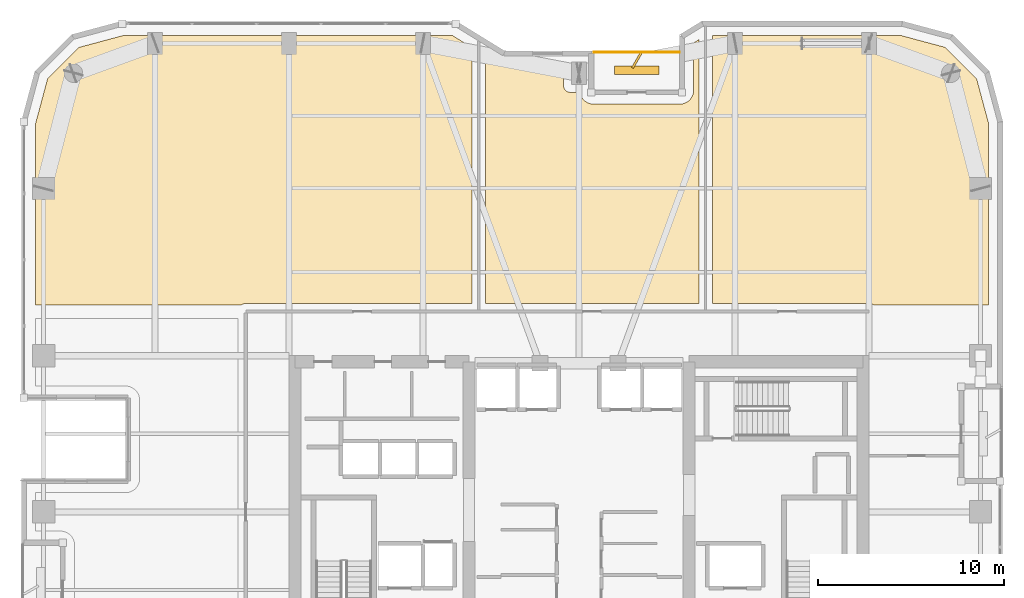
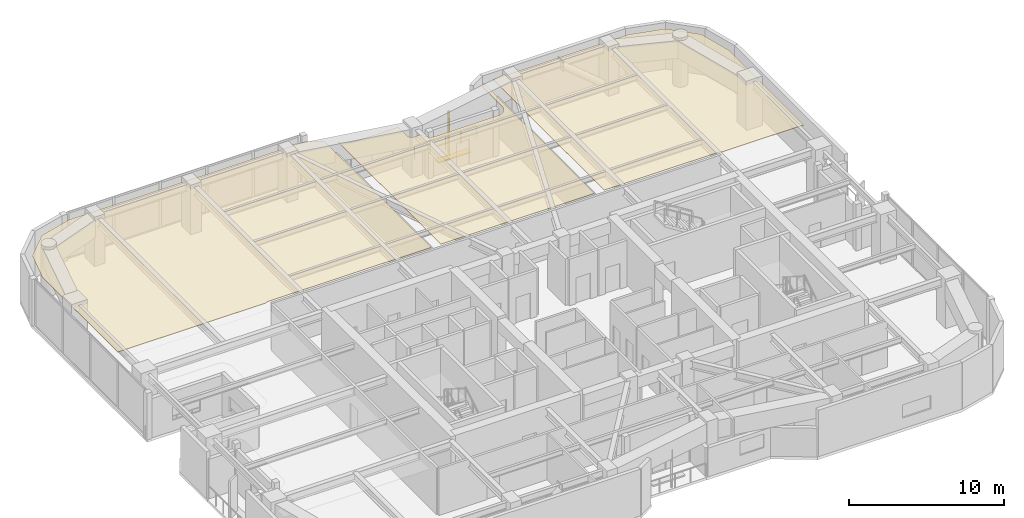
# One storey, part 26 of 26: 3 coverings, 2 shading devices, 1 railing.
"""IFC4 building model written with IfcOpenShell, lengths in metres."""

from ifc_helpers import new_model, si_unit, direction, frame, origin, origin_2d, place, context, subcontext, project, spatial, polyline, rectangle, outline, extrude, material, layer, layer_set, type_object, element, save


model = new_model("IFC4")

# Units and contexts
model_context = context("Model", 3, precision=1e-05, world=origin(), true_north=direction((0.0, 1.0)))
body_context = subcontext(model_context, "Body", "Model", "MODEL_VIEW")
ifc_project = project(units=[si_unit("LENGTHUNIT", "METRE"), si_unit("AREAUNIT", "SQUARE_METRE"), si_unit("VOLUMEUNIT", "CUBIC_METRE"), si_unit("PLANEANGLEUNIT", "RADIAN"), si_unit("MASSUNIT", "GRAM", prefix="KILO")], contexts=[model_context])

# Site, building, storey
site_placement = place(None, origin())
site = spatial("IfcSite", under=ifc_project, at=site_placement, CompositionType="ELEMENT")
building_placement = place(site_placement, origin())
building = spatial("IfcBuilding", under=site, at=building_placement, Name="Kiyonajd Concourse Tower", CompositionType="ELEMENT")
storey_placement = place(building_placement, frame((0.0, 0.0, 186.300048828125)))
storey = spatial("IfcBuildingStorey", under=building, at=storey_placement, Name="L47", CompositionType="ELEMENT", Elevation=186.300048828125)

# Coverings
ifc_material_1 = material(Name="Natural Oak Acoustic Timber Veneer", Category="wood")
ifc_layer = layer(ifc_material_1, 0.0400390625)
ifc_layer_set = layer_set([ifc_layer], Name="Natural Oak Acoustic Timber Veneer")
covering_type = type_object("IfcCoveringType", Name="CV-CLG-ACST", PredefinedType="CEILING", material=ifc_layer_set)
covering_1_placement = place(storey_placement, frame((0.0, 0.0, 3.5)))
element("IfcCovering", 1, at=covering_1_placement, inside=storey, type_object=covering_type, Name="L47-45 Room Acoustic Ceiling", PredefinedType="CEILING", context=body_context, shape_type="SweptSolid", body=[
    extrude(outline(polyline([(21.097900390625, 60.986083984375), (23.5009765625, 61.6298828125), (41.181884765625, 61.6298828125), (42.25, 60.971923828125), (42.25, 47.2099609375), (30.074951171875, 47.2099609375), (29.945068359375, 47.18994140625), (29.882080078125, 47.1640625), (29.826904296875, 47.1298828125), (18.77001953125, 47.1298828125), (18.77001953125, 56.89892578125), (19.4140625, 59.302001953125), (21.097900390625, 60.986083984375)])), origin(), (0.0, 0.0, 1.0), 0.0400390625),
])
covering_2_placement = place(storey_placement, frame((0.0, 0.0, 3.5)))
element("IfcCovering", 2, at=covering_2_placement, inside=storey, type_object=covering_type, Name="L47-46 Room Acoustic Ceiling", PredefinedType="CEILING", context=body_context, shape_type="SweptSolid", body=[
    extrude(outline(polyline([(43.759033203125, 60.070068359375), (43.865966796875, 60.0419921875), (44.0, 60.030029296875), (47.169921875, 60.030029296875), (47.169921875, 58.919921875), (47.18505859375, 58.818115234375), (47.22900390625, 58.72607421875), (47.27294921875, 58.673095703125), (47.325927734375, 58.62890625), (47.385986328125, 58.596923828125), (47.451904296875, 58.576904296875), (47.52001953125, 58.570068359375), (48.041015625, 58.570068359375), (48.069091796875, 58.4599609375), (48.114990234375, 58.34912109375), (48.18310546875, 58.240966796875), (48.242919921875, 58.16796875), (48.320068359375, 58.097900390625), (48.448974609375, 58.014892578125), (48.52099609375, 57.98291015625), (48.633056640625, 57.947998046875), (48.800048828125, 57.929931640625), (53.491943359375, 57.93603515625), (53.60693359375, 57.9580078125), (53.7041015625, 57.991943359375), (53.800048828125, 58.04296875), (53.90087890625, 58.114990234375), (53.985107421875, 58.198974609375), (54.031982421875, 58.260986328125), (54.10791015625, 58.39599609375), (54.14208984375, 58.492919921875), (54.16796875, 58.658935546875), (54.169921875, 61.23095703125), (54.449951171875, 61.404052734375), (54.449951171875, 47.2099609375), (42.969970703125, 47.2099609375), (42.969970703125, 60.531005859375), (43.631103515625, 60.1259765625), (43.759033203125, 60.070068359375)])), origin(), (0.0, 0.0, 1.0), 0.0400390625),
])
covering_3_placement = place(storey_placement, frame((0.0, 0.0, 3.5)))
element("IfcCovering", 3, at=covering_3_placement, inside=storey, type_object=covering_type, Name="L47-47 Room Acoustic Ceiling", PredefinedType="CEILING", context=body_context, shape_type="SweptSolid", body=[
    extrude(outline(polyline([(63.847900390625, 47.1298828125), (63.79296875, 47.1640625), (63.72998046875, 47.18994140625), (63.60009765625, 47.2099609375), (55.169921875, 47.2099609375), (55.169921875, 61.6298828125), (65.299072265625, 61.6298828125), (67.701904296875, 60.986083984375), (69.385986328125, 59.302001953125), (70.030029296875, 56.89892578125), (70.030029296875, 47.1298828125), (63.847900390625, 47.1298828125)])), origin(), (0.0, 0.0, 1.0), 0.0400390625),
])

# Railing
ifc_material_2 = material(Name="Thermally Broken Anodised Aluminium", Category="aluminium")
railing_type = type_object("IfcRailingType", Name="RL-GRD-LOG", PredefinedType="GUARDRAIL", material=ifc_material_2)
railing_placement = place(storey_placement, frame((53.39990234375, 60.719970703125, 0.0)))
element("IfcRailing", 4, at=railing_placement, inside=storey, type_object=railing_type, Name="L47 Engawa Loggia Perimeter Guard LOG-N", PredefinedType="GUARDRAIL", context=body_context, shape_type="SweptSolid", body=[
    extrude(rectangle(XDim=0.048095703125, YDim=0.048095703125, at=origin_2d()), frame((0.0, 0.0, 1.076171875), z_axis=(-1.0, 0.0, 0.0), x_axis=(0.0, -1.0, 0.0)), (0.0, 0.0, 1.0), 4.599853515625),
    extrude(rectangle(XDim=0.0419921875, YDim=0.0419921875, at=origin_2d()), origin(), (0.0, 0.0, 1.0), 1.052001953125),
    extrude(rectangle(XDim=0.0419921875, YDim=0.0419921875, at=origin_2d()), frame((-1.14990234375, 0.0, 0.0)), (0.0, 0.0, 1.0), 1.052001953125),
    extrude(rectangle(XDim=0.0419921875, YDim=0.0419921875, at=origin_2d()), frame((-2.2998046875, 0.0, 0.0)), (0.0, 0.0, 1.0), 1.052001953125),
    extrude(rectangle(XDim=0.0419921875, YDim=0.0419921875, at=origin_2d()), frame((-3.449951171875, 0.0, 0.0)), (0.0, 0.0, 1.0), 1.052001953125),
    extrude(rectangle(XDim=0.0419921875, YDim=0.0419921875, at=origin_2d()), frame((-4.599853515625, 0.0, 0.0)), (0.0, 0.0, 1.0), 1.052001953125),
])

# Shading devices
ifc_material_3 = material(Name="Precast concrete C50/60", Category="concrete")
shading_device_type_1 = type_object("IfcShadingDeviceType", Name="SH-FIN-900", PredefinedType="USERDEFINED", material=ifc_material_3)
shading_device_1_placement = place(storey_placement, frame((51.10009765625, 60.27001953125, 0.0), z_axis=(0.0, 0.0, 1.0), x_axis=(0.5, 0.866025403784, 0.0)))
element("IfcShadingDevice", 5, at=shading_device_1_placement, inside=storey, type_object=shading_device_type_1, Name="L47 Angled Koshi Solar Fin LOG-N", ObjectType="FIN", PredefinedType="USERDEFINED", context=body_context, shape_type="SweptSolid", body=[
    extrude(rectangle(XDim=0.89990234375, YDim=0.1201171875, at=origin_2d()), origin(), (0.0, 0.0, 1.0), 3.0),
])
shading_device_type_2 = type_object("IfcShadingDeviceType", Name="SH-LVR-600", PredefinedType="JALOUSIE", material=ifc_material_2)
shading_device_2_placement = place(storey_placement, frame((51.10009765625, 59.75, 0.0), z_axis=(0.0, 0.0, 1.0), x_axis=(1.0, 0.0, 0.0)))
element("IfcShadingDevice", 6, at=shading_device_2_placement, inside=storey, type_object=shading_device_type_2, Name="L47 Loggia Threshold Louver LOG-N", PredefinedType="JALOUSIE", context=body_context, shape_type="SweptSolid", body=[
    extrude(rectangle(XDim=2.39990234375, YDim=0.449951171875, at=origin_2d()), origin(), (0.0, 0.0, 1.0), 0.10009765625),
])

save(model, "model.ifc")
